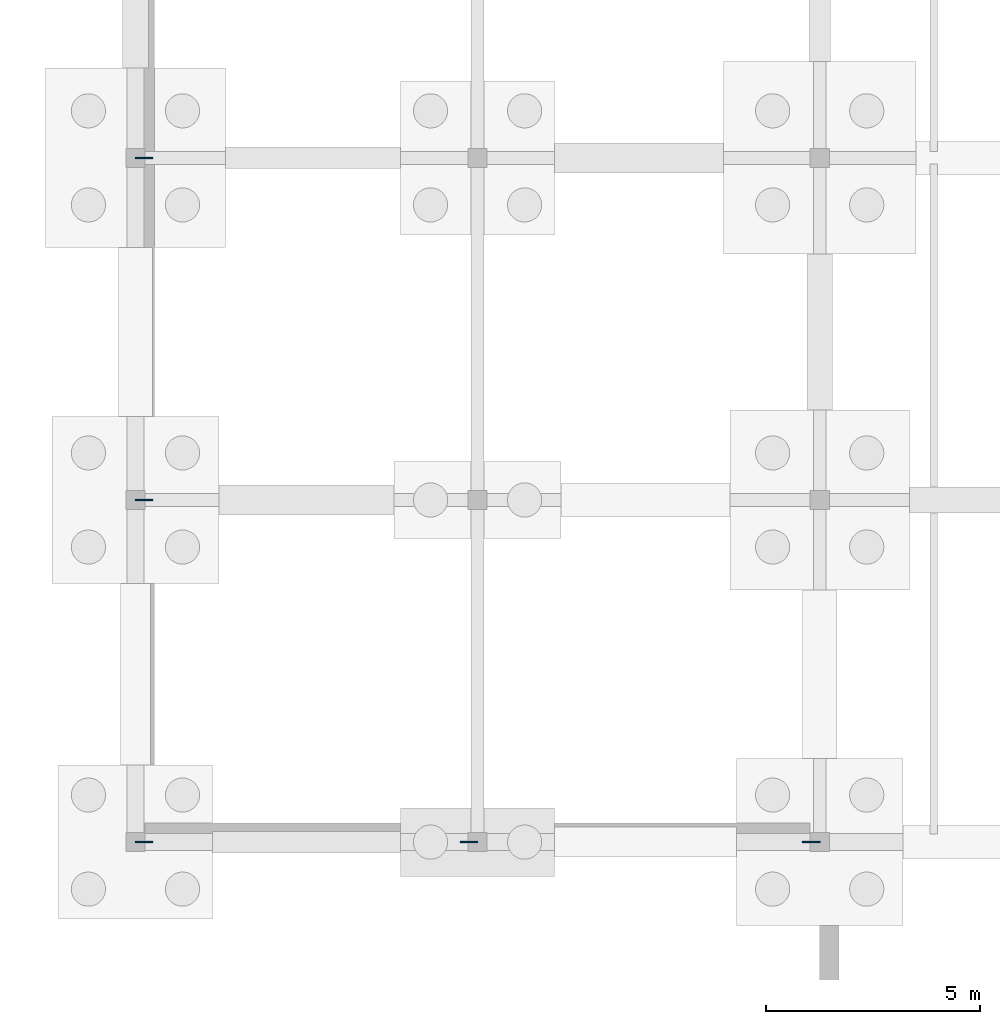
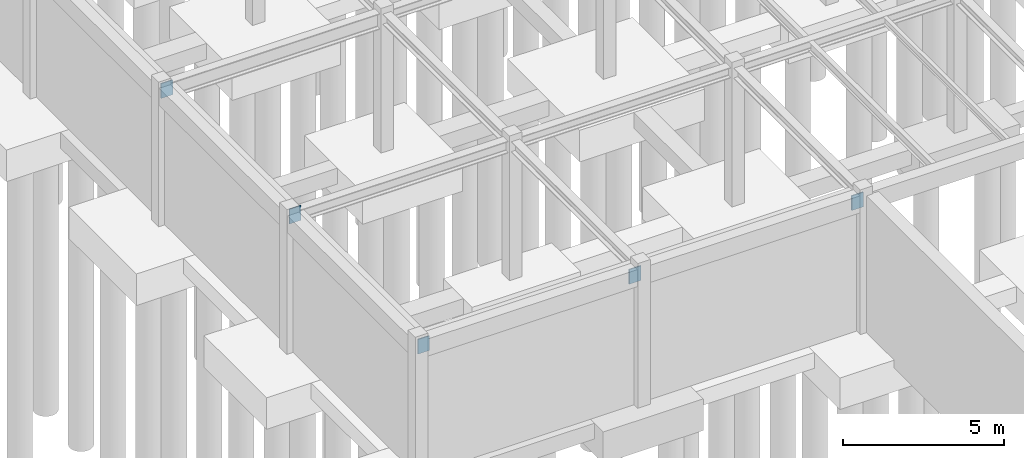
# One storey, part 37 of 71: 5 plates.
"""IFC4 building model written with IfcOpenShell, lengths in metres."""

from ifc_helpers import new_model, si_unit, direction, frame, origin, origin_2d, place, context, subcontext, project, spatial, rectangle, extrude, material, layer, layer_set, type_object, element, save


model = new_model("IFC4")

# Units and contexts
model_context = context("Model", 3, precision=1e-05, world=origin(), true_north=direction((0.0, 1.0)))
body_context = subcontext(model_context, "Body", "Model", "MODEL_VIEW")
ifc_project = project(units=[si_unit("LENGTHUNIT", "METRE"), si_unit("AREAUNIT", "SQUARE_METRE"), si_unit("VOLUMEUNIT", "CUBIC_METRE"), si_unit("PLANEANGLEUNIT", "RADIAN"), si_unit("MASSUNIT", "GRAM", prefix="KILO")], contexts=[model_context])

# Site, building, storey
site_placement = place(None, origin())
site = spatial("IfcSite", under=ifc_project, at=site_placement, CompositionType="ELEMENT")
building_placement = place(site_placement, origin())
building = spatial("IfcBuilding", under=site, at=building_placement, Name="Sundkrona Museum", CompositionType="ELEMENT")
storey_placement = place(building_placement, frame((0.0, 0.0, -5.39990234375)))
storey = spatial("IfcBuildingStorey", under=building, at=storey_placement, Name="B1", CompositionType="ELEMENT", Elevation=-5.39990234375)

# Plates
ifc_material = material(Name="Steel S355J2", Category="steel")
ifc_layer = layer(ifc_material, 0.034912109375)
ifc_layer_set = layer_set([ifc_layer], Name="Steel S355J2")
plate_type = type_object("IfcPlateType", Name="EP-1", PredefinedType="USERDEFINED", material=ifc_layer_set)
for number, where, z_axis, x_axis, name in (
    (1, (0.199951171875, 78.0, 4.554931640625), (0.0, 0.0, 1.0), (1.0, 0.0, 0.0), "Structural Wall Cast-In Embed Plate BM-B1-X-0097-1"),
    (2, (7.800048828125, 78.0, 4.554931640625), (0.0, 0.0, 1.0), (1.0, 0.0, 0.0), "Structural Wall Cast-In Embed Plate BM-B1-X-0097-2"),
    (3, (15.800048828125, 78.0, 4.554931640625), (0.0, 0.0, 1.0), (1.0, 0.0, 0.0), "Structural Wall Cast-In Embed Plate BM-B1-X-0098-2"),
    (4, (0.199951171875, 86.0, 4.65478515625), (0.0, 0.0, 1.0), (1.0, 0.0, 0.0), "Structural Wall Cast-In Embed Plate BM-B1-X-0117-1"),
    (5, (0.199951171875, 94.0, 4.579833984375), (0.0, 0.0, 1.0), (1.0, 0.0, 0.0), "Structural Wall Cast-In Embed Plate BM-B1-X-0135-1"),
):
    element("IfcPlate", number, at=place(storey_placement, frame(where, z_axis=z_axis, x_axis=x_axis)), inside=storey, type_object=plate_type, Name=name, ObjectType="GUSSET PLATE", PredefinedType="USERDEFINED", context=body_context, shape_type="SweptSolid", body=[
        extrude(rectangle(XDim=0.419921875, YDim=0.034912109375, at=origin_2d()), origin(), (0.0, 0.0, 1.0), 0.56005859375),
    ])

save(model, "model.ifc")
